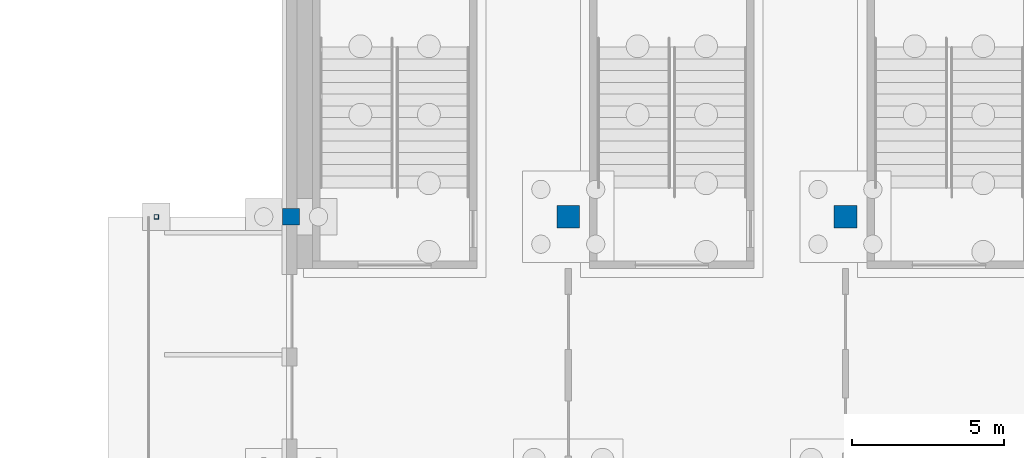
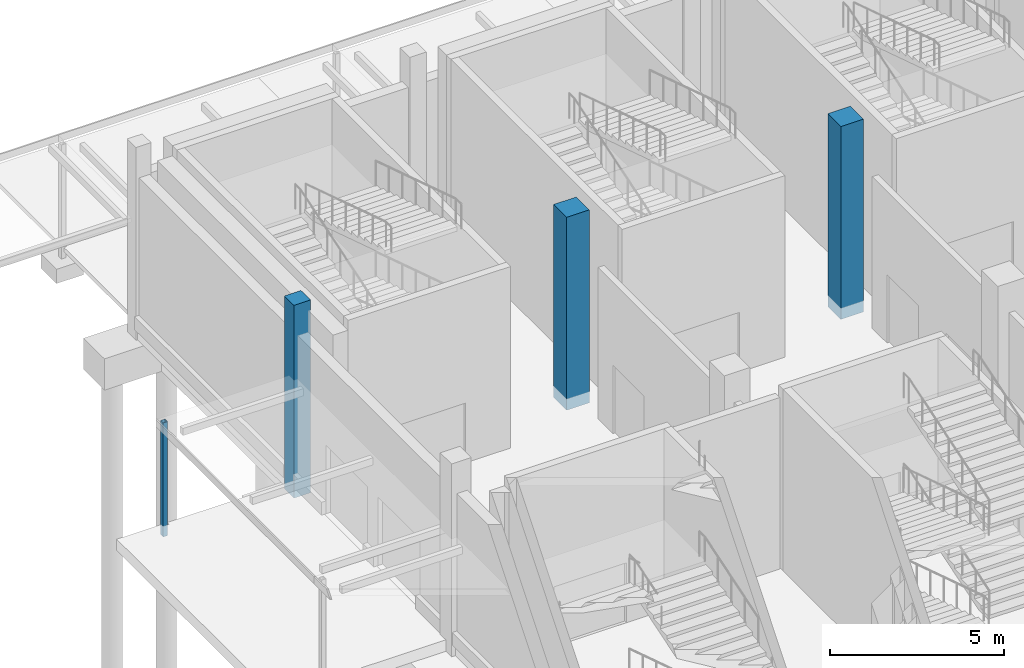
# One storey, part 26 of 129: 4 columns.
"""IFC4 building model written with IfcOpenShell, lengths in metres."""

from ifc_helpers import new_model, si_unit, direction, frame, origin, origin_2d, place, context, subcontext, project, spatial, rectangle, hollow_rectangle, extrude, material, material_profile, profile_set, type_object, element, save


model = new_model("IFC4")

# Units and contexts
model_context = context("Model", 3, precision=1e-05, world=origin(), true_north=direction((0.0, 1.0)))
body_context = subcontext(model_context, "Body", "Model", "MODEL_VIEW")
ifc_project = project(units=[si_unit("LENGTHUNIT", "METRE"), si_unit("AREAUNIT", "SQUARE_METRE"), si_unit("VOLUMEUNIT", "CUBIC_METRE"), si_unit("PLANEANGLEUNIT", "RADIAN"), si_unit("MASSUNIT", "GRAM", prefix="KILO")], contexts=[model_context])

# Site, building, storey
site_placement = place(None, origin())
site = spatial("IfcSite", under=ifc_project, at=site_placement, CompositionType="ELEMENT")
building_placement = place(site_placement, origin())
building = spatial("IfcBuilding", under=site, at=building_placement, Name="Shirokan Park Arena", CompositionType="ELEMENT")
storey_placement = place(building_placement, origin())
storey = spatial("IfcBuildingStorey", under=building, at=storey_placement, Name="L00", CompositionType="ELEMENT", Elevation=0.0)

# Columns
ifc_material_1 = material(Name="Concrete C35", Category="concrete")
ifc_material_profile_1 = material_profile(ifc_material_1, rectangle(XDim=0.550048828125, YDim=0.550048828125, at=origin_2d()), Name="550x550")
ifc_profile_set_1 = profile_set([ifc_material_profile_1], Name="Concrete C35")
column_type_1 = type_object("IfcColumnType", Name="RC column 550x550", PredefinedType="COLUMN", material=ifc_profile_set_1)
column_1_placement = place(storey_placement, frame((0.0, 100.10009765625, -0.39990234375), z_axis=(0.0, 0.0, 1.0), x_axis=(1.0, 0.0, 0.0)))
element("IfcColumn", 1, at=column_1_placement, inside=storey, type_object=column_type_1, Name="Column 1M L00", PredefinedType="COLUMN", context=body_context, shape_type="SweptSolid", body=[
    extrude(rectangle(XDim=0.550048828125, YDim=0.550048828125, at=origin_2d()), origin(), (0.0, 0.0, 1.0), 6.77001953125),
])
ifc_material_profile_2 = material_profile(ifc_material_1, rectangle(XDim=0.75, YDim=0.75, at=origin_2d()), Name="750x750")
ifc_profile_set_2 = profile_set([ifc_material_profile_2], Name="Concrete C35")
column_type_2 = type_object("IfcColumnType", Name="RC column 750x750", PredefinedType="COLUMN", material=ifc_profile_set_2)
for number, where, z_axis, x_axis, name in (
    (2, (9.10009765625, 100.10009765625, -0.39990234375), (0.0, 0.0, 1.0), (1.0, 0.0, 0.0), "Column 2M L00"),
    (3, (18.199951171875, 100.10009765625, -0.39990234375), (0.0, 0.0, 1.0), (1.0, 0.0, 0.0), "Column 3M L00"),
):
    element("IfcColumn", number, at=place(storey_placement, frame(where, z_axis=z_axis, x_axis=x_axis)), inside=storey, type_object=column_type_2, Name=name, PredefinedType="COLUMN", context=body_context, shape_type="SweptSolid", body=[
        extrude(rectangle(XDim=0.75, YDim=0.75, at=origin_2d()), origin(), (0.0, 0.0, 1.0), 6.77001953125),
    ])
ifc_material_2 = material(Name="Steel S355", Category="steel")
ifc_material_profile_3 = material_profile(ifc_material_2, hollow_rectangle(XDim=0.14990234375, YDim=0.14990234375, WallThickness=0.008056640625, at=origin_2d()), Name="RHS 150x150x8")
ifc_profile_set_3 = profile_set([ifc_material_profile_3], Name="Steel S355")
column_type_3 = type_object("IfcColumnType", Name="Steel post RHS 150x150x8", PredefinedType="COLUMN", material=ifc_profile_set_3)
column_2_placement = place(storey_placement, frame((-4.425048828125, 100.10009765625, -0.39990234375), z_axis=(0.0, 0.0, 1.0), x_axis=(1.0, 0.0, 0.0)))
element("IfcColumn", 4, at=column_2_placement, inside=storey, type_object=column_type_3, Name="Canopy post west grid 2", PredefinedType="COLUMN", context=body_context, shape_type="SweptSolid", body=[
    extrude(hollow_rectangle(XDim=0.14990234375, YDim=0.14990234375, WallThickness=0.008056640625, at=origin_2d()), origin(), (0.0, 0.0, 1.0), 4.0),
])

save(model, "model.ifc")
